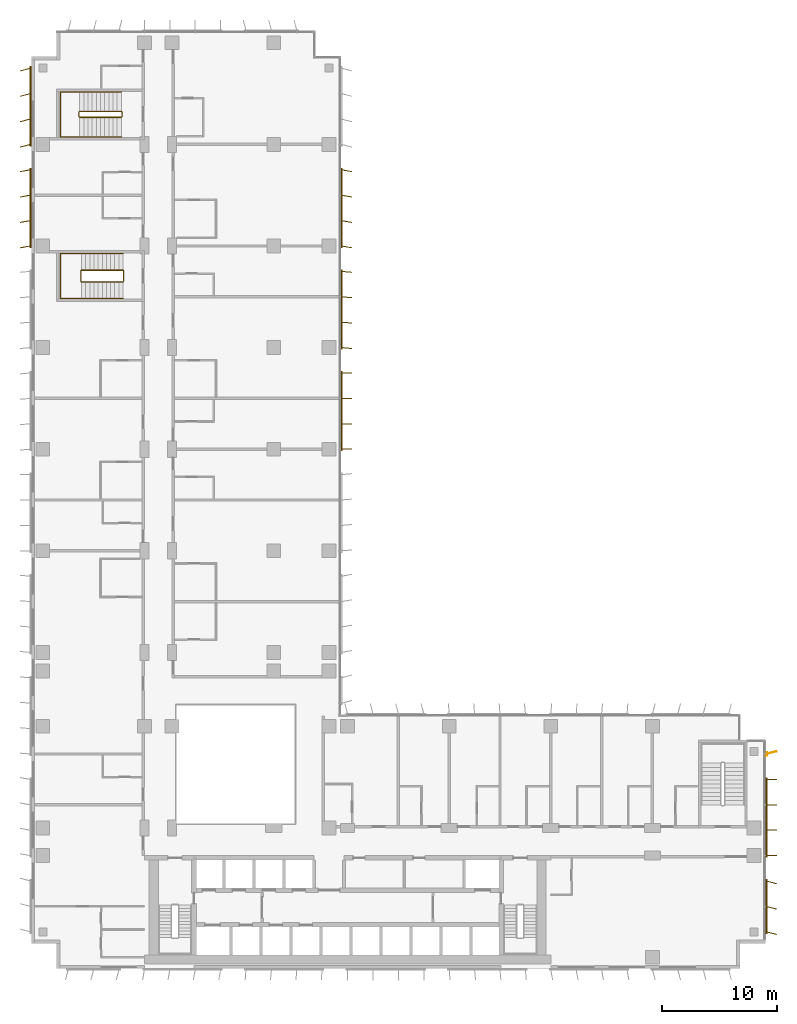
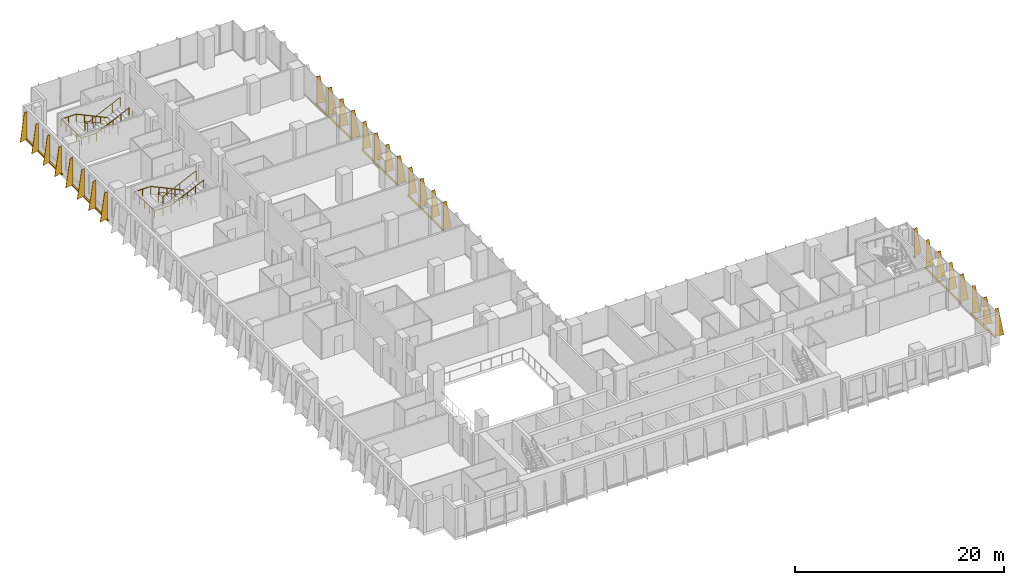
# One storey, part 21 of 22: 8 shading devices, 4 railings.
"""IFC4 building model written with IfcOpenShell, lengths in metres."""

from ifc_helpers import new_model, si_unit, direction, frame, origin, origin_2d, place, context, subcontext, project, spatial, polyline, rectangle, circle, outline, extrude, source, transform, mapped, material, layer, layer_set, type_object, element, save


model = new_model("IFC4")

# Units and contexts
model_context = context("Model", 3, precision=1e-05, world=origin(), true_north=direction((0.0, 1.0)))
body_context = subcontext(model_context, "Body", "Model", "MODEL_VIEW")
ifc_project = project(units=[si_unit("LENGTHUNIT", "METRE"), si_unit("AREAUNIT", "SQUARE_METRE"), si_unit("VOLUMEUNIT", "CUBIC_METRE"), si_unit("PLANEANGLEUNIT", "RADIAN"), si_unit("MASSUNIT", "GRAM", prefix="KILO")], contexts=[model_context])

# Site, building, storey
site_placement = place(None, origin())
site = spatial("IfcSite", under=ifc_project, at=site_placement, CompositionType="ELEMENT")
building_placement = place(site_placement, origin())
building = spatial("IfcBuilding", under=site, at=building_placement, Name="Kemantara Hotel Tower", CompositionType="ELEMENT")
storey_placement = place(building_placement, frame((0.0, 0.0, 107.39990234375)))
storey = spatial("IfcBuildingStorey", under=building, at=storey_placement, Name="L25", CompositionType="ELEMENT", Elevation=107.39990234375)

# Railings
ifc_material_1 = material(Name="Stainless steel balustrade", Category="steel")
railing_type_1 = type_object("IfcRailingType", Name="Stair guard 1100 mm", PredefinedType="GUARDRAIL", material=ifc_material_1)
railing_1_placement = place(storey_placement, frame((7.949951171875, 59.5, 3.7001953125)))
element("IfcRailing", 1, at=railing_1_placement, inside=storey, type_object=railing_type_1, Name="L25 ST4 stair guard 1", PredefinedType="GUARDRAIL", context=body_context, shape_type="SweptSolid", body=[
    extrude(circle(Radius=0.02392578125, at=origin_2d()), frame((0.0, 0.0, 1.076171875), z_axis=(-0.905994681025, 0.0, -0.423289071386), x_axis=(0.0, -1.0, 0.0)), (0.0, 0.0, 1.0), 3.973388671875),
    extrude(circle(Radius=0.02392578125, at=origin_2d()), frame((-3.599853515625, 0.0, -0.60595703125), z_axis=(-0.274243871929, 0.274243871929, -0.92172696468), x_axis=(-0.707106781187, -0.707106781187, 0.0)), (0.0, 0.0, 1.0), 0.1826171875),
    extrude(circle(Radius=0.02392578125, at=origin_2d()), frame((-3.64990234375, 0.050048828125, -0.77392578125), z_axis=(0.0, 1.0, 0.0), x_axis=(-1.0, 0.0, 0.0)), (0.0, 0.0, 1.0), 0.89990234375),
    extrude(circle(Radius=0.02392578125, at=origin_2d()), frame((-3.64990234375, 0.949951171875, -0.77392578125), z_axis=(0.707106781187, 0.707106781187, 0.0), x_axis=(-0.707106781187, 0.707106781187, 0.0)), (0.0, 0.0, 1.0), 0.07080078125),
    extrude(circle(Radius=0.02392578125, at=origin_2d()), frame((-3.599853515625, 1.0, -0.77392578125), z_axis=(0.905994681025, 0.0, -0.423289071386), x_axis=(0.0, 1.0, 0.0)), (0.0, 0.0, 1.0), 3.973388671875),
    extrude(circle(Radius=0.02392578125, at=origin_2d()), frame((0.0, 1.0, -2.4560546875), z_axis=(0.274243871929, -0.274243871929, -0.92172696468), x_axis=(0.707106781187, 0.707106781187, 0.0)), (0.0, 0.0, 1.0), 0.1826171875),
    extrude(circle(Radius=0.02392578125, at=origin_2d()), frame((0.050048828125, 0.949951171875, -2.6240234375), z_axis=(0.0, -1.0, 0.0), x_axis=(1.0, 0.0, 0.0)), (0.0, 0.0, 1.0), 0.89990234375),
    extrude(circle(Radius=0.02099609375, at=origin_2d()), origin(), (0.0, 0.0, 1.0), 1.052001953125),
    extrude(circle(Radius=0.02099609375, at=origin_2d()), frame((-0.89990234375, 0.0, -0.42041015625)), (0.0, 0.0, 1.0), 1.052001953125),
    extrude(circle(Radius=0.02099609375, at=origin_2d()), frame((-1.7998046875, 0.0, -0.8408203125)), (0.0, 0.0, 1.0), 1.052001953125),
    extrude(circle(Radius=0.02099609375, at=origin_2d()), frame((-2.699951171875, 0.0, -1.261474609375)), (0.0, 0.0, 1.0), 1.052001953125),
    extrude(circle(Radius=0.02099609375, at=origin_2d()), frame((-3.599853515625, 0.0, -1.681884765625)), (0.0, 0.0, 1.0), 1.052001953125),
    extrude(circle(Radius=0.02099609375, at=origin_2d()), frame((-3.64990234375, 0.050048828125, -1.85009765625)), (0.0, 0.0, 1.0), 1.052001953125),
    extrude(circle(Radius=0.02099609375, at=origin_2d()), frame((-3.64990234375, 0.949951171875, -1.85009765625)), (0.0, 0.0, 1.0), 1.052001953125),
    extrude(circle(Radius=0.02099609375, at=origin_2d()), frame((-3.599853515625, 1.0, -1.85009765625)), (0.0, 0.0, 1.0), 1.052001953125),
    extrude(circle(Radius=0.02099609375, at=origin_2d()), frame((-2.699951171875, 1.0, -2.2705078125)), (0.0, 0.0, 1.0), 1.052001953125),
    extrude(circle(Radius=0.02099609375, at=origin_2d()), frame((-1.7998046875, 1.0, -2.69091796875)), (0.0, 0.0, 1.0), 1.052001953125),
    extrude(circle(Radius=0.02099609375, at=origin_2d()), frame((-0.89990234375, 1.0, -3.111572265625)), (0.0, 0.0, 1.0), 1.052001953125),
    extrude(circle(Radius=0.02099609375, at=origin_2d()), frame((0.0, 1.0, -3.531982421875)), (0.0, 0.0, 1.0), 1.052001953125),
    extrude(circle(Radius=0.02099609375, at=origin_2d()), frame((0.050048828125, 0.949951171875, -3.7001953125)), (0.0, 0.0, 1.0), 1.052001953125),
    extrude(circle(Radius=0.02099609375, at=origin_2d()), frame((0.050048828125, 0.050048828125, -3.7001953125)), (0.0, 0.0, 1.0), 1.052001953125),
])
railing_2_placement = place(storey_placement, frame((7.800048828125, 73.75, 3.7001953125)))
element("IfcRailing", 2, at=railing_2_placement, inside=storey, type_object=railing_type_1, Name="L25 ST6 stair guard 1", PredefinedType="GUARDRAIL", context=body_context, shape_type="SweptSolid", body=[
    extrude(circle(Radius=0.02392578125, at=origin_2d()), frame((0.0, 0.0, 1.076171875), z_axis=(-0.906005689286, 0.0, -0.423265508849), x_axis=(0.0, -1.0, 0.0)), (0.0, 0.0, 1.0), 3.9736328125),
    extrude(circle(Radius=0.02392578125, at=origin_2d()), frame((-3.60009765625, 0.0, -0.60595703125), z_axis=(-0.274243871929, 0.274243871929, -0.92172696468), x_axis=(-0.707106781187, -0.707106781187, 0.0)), (0.0, 0.0, 1.0), 0.1826171875),
    extrude(circle(Radius=0.02392578125, at=origin_2d()), frame((-3.650146484375, 0.050048828125, -0.77392578125), z_axis=(0.0, 1.0, 0.0), x_axis=(-1.0, 0.0, 0.0)), (0.0, 0.0, 1.0), 0.39990234375),
    extrude(circle(Radius=0.02392578125, at=origin_2d()), frame((-3.650146484375, 0.449951171875, -0.77392578125), z_axis=(0.707106781187, 0.707106781187, 0.0), x_axis=(-0.707106781187, 0.707106781187, 0.0)), (0.0, 0.0, 1.0), 0.07080078125),
    extrude(circle(Radius=0.02392578125, at=origin_2d()), frame((-3.60009765625, 0.5, -0.77392578125), z_axis=(0.906005689286, 0.0, -0.423265508849), x_axis=(0.0, 1.0, 0.0)), (0.0, 0.0, 1.0), 3.9736328125),
    extrude(circle(Radius=0.02392578125, at=origin_2d()), frame((0.0, 0.5, -2.4560546875), z_axis=(0.274243871929, -0.274243871929, -0.92172696468), x_axis=(0.707106781187, 0.707106781187, 0.0)), (0.0, 0.0, 1.0), 0.1826171875),
    extrude(circle(Radius=0.02392578125, at=origin_2d()), frame((0.050048828125, 0.449951171875, -2.6240234375), z_axis=(0.0, -1.0, 0.0), x_axis=(1.0, 0.0, 0.0)), (0.0, 0.0, 1.0), 0.39990234375),
    extrude(circle(Radius=0.02099609375, at=origin_2d()), origin(), (0.0, 0.0, 1.0), 1.052001953125),
    extrude(circle(Radius=0.02099609375, at=origin_2d()), frame((-0.89990234375, 0.0, -0.42041015625)), (0.0, 0.0, 1.0), 1.052001953125),
    extrude(circle(Radius=0.02099609375, at=origin_2d()), frame((-1.800048828125, 0.0, -0.8408203125)), (0.0, 0.0, 1.0), 1.052001953125),
    extrude(circle(Radius=0.02099609375, at=origin_2d()), frame((-2.7001953125, 0.0, -1.261474609375)), (0.0, 0.0, 1.0), 1.052001953125),
    extrude(circle(Radius=0.02099609375, at=origin_2d()), frame((-3.60009765625, 0.0, -1.681884765625)), (0.0, 0.0, 1.0), 1.052001953125),
    extrude(circle(Radius=0.02099609375, at=origin_2d()), frame((-3.650146484375, 0.050048828125, -1.85009765625)), (0.0, 0.0, 1.0), 1.052001953125),
    extrude(circle(Radius=0.02099609375, at=origin_2d()), frame((-3.650146484375, 0.449951171875, -1.85009765625)), (0.0, 0.0, 1.0), 1.052001953125),
    extrude(circle(Radius=0.02099609375, at=origin_2d()), frame((-3.60009765625, 0.5, -1.85009765625)), (0.0, 0.0, 1.0), 1.052001953125),
    extrude(circle(Radius=0.02099609375, at=origin_2d()), frame((-2.7001953125, 0.5, -2.2705078125)), (0.0, 0.0, 1.0), 1.052001953125),
    extrude(circle(Radius=0.02099609375, at=origin_2d()), frame((-1.800048828125, 0.5, -2.69091796875)), (0.0, 0.0, 1.0), 1.052001953125),
    extrude(circle(Radius=0.02099609375, at=origin_2d()), frame((-0.89990234375, 0.5, -3.111572265625)), (0.0, 0.0, 1.0), 1.052001953125),
    extrude(circle(Radius=0.02099609375, at=origin_2d()), frame((0.0, 0.5, -3.531982421875)), (0.0, 0.0, 1.0), 1.052001953125),
    extrude(circle(Radius=0.02099609375, at=origin_2d()), frame((0.050048828125, 0.449951171875, -3.7001953125)), (0.0, 0.0, 1.0), 1.052001953125),
    extrude(circle(Radius=0.02099609375, at=origin_2d()), frame((0.050048828125, 0.050048828125, -3.7001953125)), (0.0, 0.0, 1.0), 1.052001953125),
])
railing_type_2 = type_object("IfcRailingType", Name="Stair handrail 900 mm", PredefinedType="HANDRAIL", material=ifc_material_1)
railing_3_placement = place(storey_placement, frame((7.949951171875, 61.949951171875, 0.168212890625)))
element("IfcRailing", 3, at=railing_3_placement, inside=storey, type_object=railing_type_2, Name="L25 ST4 stair handrail 1", PredefinedType="HANDRAIL", context=body_context, shape_type="SweptSolid", body=[
    extrude(circle(Radius=0.02392578125, at=origin_2d()), frame((0.0, 0.0, 0.8759765625), z_axis=(-0.905994681025, 0.0, 0.423289071386), x_axis=(0.0, -1.0, 0.0)), (0.0, 0.0, 1.0), 3.973388671875),
    extrude(circle(Radius=0.02392578125, at=origin_2d()), frame((-3.599853515625, 0.0, 2.5576171875), z_axis=(-1.0, 0.0, 0.0), x_axis=(0.0, -1.0, 0.0)), (0.0, 0.0, 1.0), 1.830078125),
    extrude(circle(Radius=0.02392578125, at=origin_2d()), frame((-5.429931640625, 0.0, 2.5576171875), z_axis=(0.0, -0.999071085748, 0.043092523981), x_axis=(1.0, 0.0, 0.0)), (0.0, 0.0, 1.0), 3.903564453125),
    extrude(circle(Radius=0.02392578125, at=origin_2d()), frame((-5.429931640625, -3.89990234375, 2.72607421875), z_axis=(1.0, 0.0, 0.0), x_axis=(0.0, 1.0, 0.0)), (0.0, 0.0, 1.0), 1.830078125),
    extrude(circle(Radius=0.02392578125, at=origin_2d()), frame((-3.599853515625, -3.89990234375, 2.72607421875), z_axis=(0.905994681025, 0.0, 0.423289071386), x_axis=(0.0, 1.0, 0.0)), (0.0, 0.0, 1.0), 3.973388671875),
    extrude(circle(Radius=0.02099609375, at=origin_2d()), origin(), (0.0, 0.0, 1.0), 0.851806640625),
    extrude(circle(Radius=0.02099609375, at=origin_2d()), frame((-0.89990234375, 0.0, 0.42041015625)), (0.0, 0.0, 1.0), 0.851806640625),
    extrude(circle(Radius=0.02099609375, at=origin_2d()), frame((-1.7998046875, 0.0, 0.8408203125)), (0.0, 0.0, 1.0), 0.851806640625),
    extrude(circle(Radius=0.02099609375, at=origin_2d()), frame((-2.699951171875, 0.0, 1.261474609375)), (0.0, 0.0, 1.0), 0.851806640625),
    extrude(circle(Radius=0.02099609375, at=origin_2d()), frame((-3.599853515625, 0.0, 1.681884765625)), (0.0, 0.0, 1.0), 0.851806640625),
    extrude(circle(Radius=0.02099609375, at=origin_2d()), frame((-4.514892578125, 0.0, 1.681884765625)), (0.0, 0.0, 1.0), 0.851806640625),
    extrude(circle(Radius=0.02099609375, at=origin_2d()), frame((-5.429931640625, 0.0, 1.681884765625)), (0.0, 0.0, 1.0), 0.851806640625),
    extrude(circle(Radius=0.02099609375, at=origin_2d()), frame((-5.429931640625, -0.97509765625, 1.723876953125)), (0.0, 0.0, 1.0), 0.851806640625),
    extrude(circle(Radius=0.02099609375, at=origin_2d()), frame((-5.429931640625, -1.949951171875, 1.76611328125)), (0.0, 0.0, 1.0), 0.851806640625),
    extrude(circle(Radius=0.02099609375, at=origin_2d()), frame((-5.429931640625, -2.9248046875, 1.80810546875)), (0.0, 0.0, 1.0), 0.851806640625),
    extrude(circle(Radius=0.02099609375, at=origin_2d()), frame((-5.429931640625, -3.89990234375, 1.85009765625)), (0.0, 0.0, 1.0), 0.851806640625),
    extrude(circle(Radius=0.02099609375, at=origin_2d()), frame((-4.514892578125, -3.89990234375, 1.85009765625)), (0.0, 0.0, 1.0), 0.851806640625),
    extrude(circle(Radius=0.02099609375, at=origin_2d()), frame((-3.599853515625, -3.89990234375, 1.85009765625)), (0.0, 0.0, 1.0), 0.851806640625),
    extrude(circle(Radius=0.02099609375, at=origin_2d()), frame((-2.699951171875, -3.89990234375, 2.2705078125)), (0.0, 0.0, 1.0), 0.851806640625),
    extrude(circle(Radius=0.02099609375, at=origin_2d()), frame((-1.7998046875, -3.89990234375, 2.69091796875)), (0.0, 0.0, 1.0), 0.851806640625),
    extrude(circle(Radius=0.02099609375, at=origin_2d()), frame((-0.89990234375, -3.89990234375, 3.111572265625)), (0.0, 0.0, 1.0), 0.851806640625),
    extrude(circle(Radius=0.02099609375, at=origin_2d()), frame((0.0, -3.89990234375, 3.531982421875)), (0.0, 0.0, 1.0), 0.851806640625),
])
railing_4_placement = place(storey_placement, frame((7.800048828125, 75.949951171875, 0.168212890625)))
element("IfcRailing", 4, at=railing_4_placement, inside=storey, type_object=railing_type_2, Name="L25 ST6 stair handrail 1", PredefinedType="HANDRAIL", context=body_context, shape_type="SweptSolid", body=[
    extrude(circle(Radius=0.02392578125, at=origin_2d()), frame((0.0, 0.0, 0.8759765625), z_axis=(-0.906005689286, 0.0, 0.423265508849), x_axis=(0.0, -1.0, 0.0)), (0.0, 0.0, 1.0), 3.9736328125),
    extrude(circle(Radius=0.02392578125, at=origin_2d()), frame((-3.60009765625, 0.0, 2.5576171875), z_axis=(-1.0, 0.0, 0.0), x_axis=(0.0, -1.0, 0.0)), (0.0, 0.0, 1.0), 1.679931640625),
    extrude(circle(Radius=0.02392578125, at=origin_2d()), frame((-5.280029296875, 0.0, 2.5576171875), z_axis=(0.0, -0.999071085748, 0.043092523981), x_axis=(1.0, 0.0, 0.0)), (0.0, 0.0, 1.0), 3.903564453125),
    extrude(circle(Radius=0.02392578125, at=origin_2d()), frame((-5.280029296875, -3.89990234375, 2.72607421875), z_axis=(1.0, 0.0, 0.0), x_axis=(0.0, 1.0, 0.0)), (0.0, 0.0, 1.0), 1.679931640625),
    extrude(circle(Radius=0.02392578125, at=origin_2d()), frame((-3.60009765625, -3.89990234375, 2.72607421875), z_axis=(0.906005689286, 0.0, 0.423265508849), x_axis=(0.0, 1.0, 0.0)), (0.0, 0.0, 1.0), 3.9736328125),
    extrude(circle(Radius=0.02099609375, at=origin_2d()), origin(), (0.0, 0.0, 1.0), 0.851806640625),
    extrude(circle(Radius=0.02099609375, at=origin_2d()), frame((-0.89990234375, 0.0, 0.42041015625)), (0.0, 0.0, 1.0), 0.851806640625),
    extrude(circle(Radius=0.02099609375, at=origin_2d()), frame((-1.800048828125, 0.0, 0.8408203125)), (0.0, 0.0, 1.0), 0.851806640625),
    extrude(circle(Radius=0.02099609375, at=origin_2d()), frame((-2.7001953125, 0.0, 1.261474609375)), (0.0, 0.0, 1.0), 0.851806640625),
    extrude(circle(Radius=0.02099609375, at=origin_2d()), frame((-3.60009765625, 0.0, 1.681884765625)), (0.0, 0.0, 1.0), 0.851806640625),
    extrude(circle(Radius=0.02099609375, at=origin_2d()), frame((-4.43994140625, 0.0, 1.681884765625)), (0.0, 0.0, 1.0), 0.851806640625),
    extrude(circle(Radius=0.02099609375, at=origin_2d()), frame((-5.280029296875, 0.0, 1.681884765625)), (0.0, 0.0, 1.0), 0.851806640625),
    extrude(circle(Radius=0.02099609375, at=origin_2d()), frame((-5.280029296875, -0.97509765625, 1.723876953125)), (0.0, 0.0, 1.0), 0.851806640625),
    extrude(circle(Radius=0.02099609375, at=origin_2d()), frame((-5.280029296875, -1.949951171875, 1.76611328125)), (0.0, 0.0, 1.0), 0.851806640625),
    extrude(circle(Radius=0.02099609375, at=origin_2d()), frame((-5.280029296875, -2.9248046875, 1.80810546875)), (0.0, 0.0, 1.0), 0.851806640625),
    extrude(circle(Radius=0.02099609375, at=origin_2d()), frame((-5.280029296875, -3.89990234375, 1.85009765625)), (0.0, 0.0, 1.0), 0.851806640625),
    extrude(circle(Radius=0.02099609375, at=origin_2d()), frame((-4.43994140625, -3.89990234375, 1.85009765625)), (0.0, 0.0, 1.0), 0.851806640625),
    extrude(circle(Radius=0.02099609375, at=origin_2d()), frame((-3.60009765625, -3.89990234375, 1.85009765625)), (0.0, 0.0, 1.0), 0.851806640625),
    extrude(circle(Radius=0.02099609375, at=origin_2d()), frame((-2.7001953125, -3.89990234375, 2.2705078125)), (0.0, 0.0, 1.0), 0.851806640625),
    extrude(circle(Radius=0.02099609375, at=origin_2d()), frame((-1.800048828125, -3.89990234375, 2.69091796875)), (0.0, 0.0, 1.0), 0.851806640625),
    extrude(circle(Radius=0.02099609375, at=origin_2d()), frame((-0.89990234375, -3.89990234375, 3.111572265625)), (0.0, 0.0, 1.0), 0.851806640625),
    extrude(circle(Radius=0.02099609375, at=origin_2d()), frame((0.0, -3.89990234375, 3.531982421875)), (0.0, 0.0, 1.0), 0.851806640625),
])

# Shading devices
ifc_material_2 = material(Name="Perforated aluminium plate 4 mm bronze anodised", Category="aluminium")
ifc_layer_1 = layer(ifc_material_2, 0.0400390625)
ifc_layer_set_1 = layer_set([ifc_layer_1], Name="Perforated aluminium plate 4 mm bronze anodised")
shading_device_type_1 = type_object("IfcShadingDeviceType", Name="SCREEN FIN CASSETTE, 3 BLADES AT -15.0 DEG, 3200 HIGH", PredefinedType="USERDEFINED", material=ifc_layer_set_1)
shared_shape_1 = source(origin(), body_context, "Body", "SweptSolid", [
    extrude(rectangle(XDim=4.699951171875, YDim=0.14990234375, at=origin_2d()), frame((2.199951171875, -0.074951171875, -0.14990234375), z_axis=(0.0, 0.0, 1.0), x_axis=(1.0, 0.0, 0.0)), (0.0, 0.0, 1.0), 0.14990234375),
    extrude(outline(polyline([(0.0, 0.0), (0.89990234375, 0.0), (0.35009765625, 3.199951171875), (0.0, 3.199951171875), (0.0, 0.0)])), frame((0.019287109375, -0.080078125, 0.0), z_axis=(-0.966437683387, 0.256901156343, 0.0), x_axis=(-0.256901156343, -0.966437683387, 0.0)), (0.0, 0.0, 1.0), 0.039794921875),
    extrude(outline(polyline([(0.0, 0.0), (0.89990234375, 0.0), (0.35009765625, 3.199951171875), (0.0, 3.199951171875), (0.0, 0.0)])), frame((2.21923828125, -0.080078125, 0.0), z_axis=(-0.966437683387, 0.256901156343, 0.0), x_axis=(-0.256901156343, -0.966437683387, 0.0)), (0.0, 0.0, 1.0), 0.039794921875),
    extrude(outline(polyline([(0.0, 0.0), (0.89990234375, 0.0), (0.35009765625, 3.199951171875), (0.0, 3.199951171875), (0.0, 0.0)])), frame((4.41943359375, -0.080078125, 0.0), z_axis=(-0.966837822169, 0.255391122837, 0.0), x_axis=(-0.255391122837, -0.966837822169, 0.0)), (0.0, 0.0, 1.0), 0.0400390625),
])
shading_device_1_placement = place(storey_placement, frame((63.60009765625, 3.199951171875, 0.10009765625), z_axis=(0.0, 0.0, 1.0), x_axis=(0.0, 1.0, 0.0)))
element("IfcShadingDevice", 5, at=shading_device_1_placement, inside=storey, type_object=shading_device_type_1, Name="SCREEN FIN CASSETTE L25 T2-R10-1", ObjectType="SCREEN FIN", PredefinedType="USERDEFINED", context=body_context, shape_type="MappedRepresentation", body=[
    mapped(shared_shape_1, transform((0.0, 0.0, 0.0))),
])
ifc_layer_2 = layer(ifc_material_2, 0.0400390625)
ifc_layer_set_2 = layer_set([ifc_layer_2], Name="Perforated aluminium plate 4 mm bronze anodised")
shading_device_type_2 = type_object("IfcShadingDeviceType", Name="SCREEN FIN CASSETTE, 4 BLADES AT -10.0 DEG, 3200 HIGH", PredefinedType="USERDEFINED", material=ifc_layer_set_2)
shared_shape_2 = source(origin(), body_context, "Body", "SweptSolid", [
    extrude(rectangle(XDim=6.89990234375, YDim=0.14990234375, at=origin_2d()), frame((3.300048828125, -0.074951171875, -0.14990234375), z_axis=(0.0, 0.0, 1.0), x_axis=(1.0, 0.0, 0.0)), (0.0, 0.0, 1.0), 0.14990234375),
    extrude(outline(polyline([(0.0, 0.0), (0.89990234375, 0.0), (0.35009765625, 3.199951171875), (0.0, 3.199951171875), (0.0, 0.0)])), frame((0.019775390625, -0.078369140625, 0.0), z_axis=(-0.985389793052, 0.170314285219, 0.0), x_axis=(-0.170314285219, -0.985389793052, 0.0)), (0.0, 0.0, 1.0), 0.0400390625),
    extrude(outline(polyline([(0.0, 0.0), (0.89990234375, 0.0), (0.35009765625, 3.199951171875), (0.0, 3.199951171875), (0.0, 0.0)])), frame((2.2197265625, -0.078369140625, 0.0), z_axis=(-0.98521175482, 0.171341174751, 0.0), x_axis=(-0.171341174751, -0.98521175482, 0.0)), (0.0, 0.0, 1.0), 0.039794921875),
    extrude(outline(polyline([(0.0, 0.0), (0.89990234375, 0.0), (0.35009765625, 3.199951171875), (0.0, 3.199951171875), (0.0, 0.0)])), frame((4.419677734375, -0.078369140625, 0.0), z_axis=(-0.98521175482, 0.171341174751, 0.0), x_axis=(-0.171341174751, -0.98521175482, 0.0)), (0.0, 0.0, 1.0), 0.039794921875),
    extrude(outline(polyline([(0.0, 0.0), (0.89990234375, 0.0), (0.35009765625, 3.199951171875), (0.0, 3.199951171875), (0.0, 0.0)])), frame((6.61962890625, -0.078369140625, 0.0), z_axis=(-0.98521175482, 0.171341174751, 0.0), x_axis=(-0.171341174751, -0.98521175482, 0.0)), (0.0, 0.0, 1.0), 0.039794921875),
])
shading_device_2_placement = place(storey_placement, frame((26.800048828125, 62.60009765625, 0.10009765625), z_axis=(0.0, 0.0, 1.0), x_axis=(0.0, 1.0, 0.0)))
element("IfcShadingDevice", 6, at=shading_device_2_placement, inside=storey, type_object=shading_device_type_2, Name="SCREEN FIN CASSETTE L25 T2-R14-6", ObjectType="SCREEN FIN", PredefinedType="USERDEFINED", context=body_context, shape_type="MappedRepresentation", body=[
    mapped(shared_shape_2, transform((0.0, 0.0, 0.0))),
])
ifc_layer_3 = layer(ifc_material_2, 0.0400390625)
ifc_layer_set_3 = layer_set([ifc_layer_3], Name="Perforated aluminium plate 4 mm bronze anodised")
shading_device_type_3 = type_object("IfcShadingDeviceType", Name="SCREEN FIN CASSETTE, 4 BLADES AT -5.0 DEG, 3200 HIGH", PredefinedType="USERDEFINED", material=ifc_layer_set_3)
shared_shape_3 = source(origin(), body_context, "Body", "SweptSolid", [
    extrude(rectangle(XDim=6.89990234375, YDim=0.14990234375, at=origin_2d()), frame((3.300048828125, -0.074951171875, -0.14990234375), z_axis=(0.0, 0.0, 1.0), x_axis=(1.0, 0.0, 0.0)), (0.0, 0.0, 1.0), 0.14990234375),
    extrude(outline(polyline([(0.0, 0.0), (0.89990234375, 0.0), (0.35009765625, 3.199951171875), (0.0, 3.199951171875), (0.0, 0.0)])), frame((0.02001953125, -0.07666015625, 0.0), z_axis=(-0.996376129781, 0.085056498884, 0.0), x_axis=(-0.085056498884, -0.996376129781, 0.0)), (0.0, 0.0, 1.0), 0.040283203125),
    extrude(outline(polyline([(0.0, 0.0), (0.89990234375, 0.0), (0.35009765625, 3.199951171875), (0.0, 3.199951171875), (0.0, 0.0)])), frame((2.219970703125, -0.07666015625, 0.0), z_axis=(-0.996331773833, 0.085574508182, 0.0), x_axis=(-0.085574508182, -0.996331773833, 0.0)), (0.0, 0.0, 1.0), 0.0400390625),
    extrude(outline(polyline([(0.0, 0.0), (0.89990234375, 0.0), (0.35009765625, 3.199951171875), (0.0, 3.199951171875), (0.0, 0.0)])), frame((4.419921875, -0.07666015625, 0.0), z_axis=(-0.996331773833, 0.085574508182, 0.0), x_axis=(-0.085574508182, -0.996331773833, 0.0)), (0.0, 0.0, 1.0), 0.0400390625),
    extrude(outline(polyline([(0.0, 0.0), (0.89990234375, 0.0), (0.35009765625, 3.199951171875), (0.0, 3.199951171875), (0.0, 0.0)])), frame((6.619873046875, -0.07666015625, 0.0), z_axis=(-0.996331773833, 0.085574508182, 0.0), x_axis=(-0.085574508182, -0.996331773833, 0.0)), (0.0, 0.0, 1.0), 0.0400390625),
])
shading_device_3_placement = place(storey_placement, frame((26.800048828125, 53.800048828125, 0.10009765625), z_axis=(0.0, 0.0, 1.0), x_axis=(0.0, 1.0, 0.0)))
element("IfcShadingDevice", 7, at=shading_device_3_placement, inside=storey, type_object=shading_device_type_3, Name="SCREEN FIN CASSETTE L25 T2-R14-5", ObjectType="SCREEN FIN", PredefinedType="USERDEFINED", context=body_context, shape_type="MappedRepresentation", body=[
    mapped(shared_shape_3, transform((0.0, 0.0, 0.0))),
])
ifc_layer_4 = layer(ifc_material_2, 0.0400390625)
ifc_layer_set_4 = layer_set([ifc_layer_4], Name="Perforated aluminium plate 4 mm bronze anodised")
shading_device_type_4 = type_object("IfcShadingDeviceType", Name="SCREEN FIN CASSETTE, 4 BLADES AT +0.0 DEG, 3200 HIGH", PredefinedType="USERDEFINED", material=ifc_layer_set_4)
shared_shape_4 = source(origin(), body_context, "Body", "SweptSolid", [
    extrude(rectangle(XDim=6.89990234375, YDim=0.14990234375, at=origin_2d()), frame((3.300048828125, -0.074951171875, -0.14990234375), z_axis=(0.0, 0.0, 1.0), x_axis=(1.0, 0.0, 0.0)), (0.0, 0.0, 1.0), 0.14990234375),
    extrude(outline(polyline([(0.0, 0.0), (0.89990234375, 0.0), (0.35009765625, 3.199951171875), (0.0, 3.199951171875), (0.0, 0.0)])), frame((0.02001953125, -0.074951171875, 0.0), z_axis=(-1.0, 0.0, 0.0), x_axis=(0.0, -1.0, 0.0)), (0.0, 0.0, 1.0), 0.0400390625),
    extrude(outline(polyline([(0.0, 0.0), (0.89990234375, 0.0), (0.35009765625, 3.199951171875), (0.0, 3.199951171875), (0.0, 0.0)])), frame((2.219970703125, -0.074951171875, 0.0), z_axis=(-1.0, 0.0, 0.0), x_axis=(0.0, -1.0, 0.0)), (0.0, 0.0, 1.0), 0.0400390625),
    extrude(outline(polyline([(0.0, 0.0), (0.89990234375, 0.0), (0.35009765625, 3.199951171875), (0.0, 3.199951171875), (0.0, 0.0)])), frame((4.419921875, -0.074951171875, 0.0), z_axis=(-1.0, 0.0, 0.0), x_axis=(0.0, -1.0, 0.0)), (0.0, 0.0, 1.0), 0.0400390625),
    extrude(outline(polyline([(0.0, 0.0), (0.89990234375, 0.0), (0.35009765625, 3.199951171875), (0.0, 3.199951171875), (0.0, 0.0)])), frame((6.6201171875, -0.074951171875, 0.0), z_axis=(-1.0, 0.0, 0.0), x_axis=(0.0, -1.0, 0.0)), (0.0, 0.0, 1.0), 0.0400390625),
])
for number, where, z_axis, x_axis, name in (
    (8, (63.60009765625, 9.800048828125, 0.10009765625), (0.0, 0.0, 1.0), (0.0, 1.0, 0.0), "SCREEN FIN CASSETTE L25 T2-R10-2"),
    (9, (26.800048828125, 45.0, 0.10009765625), (0.0, 0.0, 1.0), (0.0, 1.0, 0.0), "SCREEN FIN CASSETTE L25 T2-R14-4"),
):
    element("IfcShadingDevice", number, at=place(storey_placement, frame(where, z_axis=z_axis, x_axis=x_axis)), inside=storey, type_object=shading_device_type_4, Name=name, ObjectType="SCREEN FIN", PredefinedType="USERDEFINED", context=body_context, shape_type="MappedRepresentation", body=[
        mapped(shared_shape_4, transform((0.0, 0.0, 0.0))),
    ])
ifc_layer_5 = layer(ifc_material_2, 0.0400390625)
ifc_layer_set_5 = layer_set([ifc_layer_5], Name="Perforated aluminium plate 4 mm bronze anodised")
shading_device_type_5 = type_object("IfcShadingDeviceType", Name="SCREEN FIN CASSETTE, 4 BLADES AT +10.0 DEG, 3200 HIGH", PredefinedType="USERDEFINED", material=ifc_layer_set_5)
shared_shape_5 = source(origin(), body_context, "Body", "SweptSolid", [
    extrude(rectangle(XDim=6.89990234375, YDim=0.14990234375, at=origin_2d()), frame((3.300048828125, -0.074951171875, -0.14990234375), z_axis=(0.0, 0.0, 1.0), x_axis=(1.0, 0.0, 0.0)), (0.0, 0.0, 1.0), 0.14990234375),
    extrude(outline(polyline([(0.0, 0.0), (0.89990234375, 0.0), (0.35009765625, 3.199951171875), (0.0, 3.199951171875), (0.0, 0.0)])), frame((0.019775390625, -0.071533203125, 0.0), z_axis=(-0.985389793052, -0.170314285219, 0.0), x_axis=(0.170314285219, -0.985389793052, 0.0)), (0.0, 0.0, 1.0), 0.0400390625),
    extrude(outline(polyline([(0.0, 0.0), (0.89990234375, 0.0), (0.35009765625, 3.199951171875), (0.0, 3.199951171875), (0.0, 0.0)])), frame((2.2197265625, -0.071533203125, 0.0), z_axis=(-0.98521175482, -0.171341174751, 0.0), x_axis=(0.171341174751, -0.98521175482, 0.0)), (0.0, 0.0, 1.0), 0.039794921875),
    extrude(outline(polyline([(0.0, 0.0), (0.89990234375, 0.0), (0.35009765625, 3.199951171875), (0.0, 3.199951171875), (0.0, 0.0)])), frame((4.419677734375, -0.071533203125, 0.0), z_axis=(-0.98521175482, -0.171341174751, 0.0), x_axis=(0.171341174751, -0.98521175482, 0.0)), (0.0, 0.0, 1.0), 0.039794921875),
    extrude(outline(polyline([(0.0, 0.0), (0.89990234375, 0.0), (0.35009765625, 3.199951171875), (0.0, 3.199951171875), (0.0, 0.0)])), frame((6.61962890625, -0.071533203125, 0.0), z_axis=(-0.98521175482, -0.171341174751, 0.0), x_axis=(0.171341174751, -0.98521175482, 0.0)), (0.0, 0.0, 1.0), 0.039794921875),
])
shading_device_4_placement = place(storey_placement, frame((0.0, 69.199951171875, 0.10009765625), z_axis=(0.0, 0.0, 1.0), x_axis=(0.0, -1.0, 0.0)))
element("IfcShadingDevice", 10, at=shading_device_4_placement, inside=storey, type_object=shading_device_type_5, Name="SCREEN FIN CASSETTE L25 T2-R04-2", ObjectType="SCREEN FIN", PredefinedType="USERDEFINED", context=body_context, shape_type="MappedRepresentation", body=[
    mapped(shared_shape_5, transform((0.0, 0.0, 0.0))),
])
ifc_layer_6 = layer(ifc_material_2, 0.0400390625)
ifc_layer_set_6 = layer_set([ifc_layer_6], Name="Perforated aluminium plate 4 mm bronze anodised")
shading_device_type_6 = type_object("IfcShadingDeviceType", Name="SCREEN FIN CASSETTE, 4 BLADES AT +15.0 DEG, 3200 HIGH", PredefinedType="USERDEFINED", material=ifc_layer_set_6)
shared_shape_6 = source(origin(), body_context, "Body", "SweptSolid", [
    extrude(rectangle(XDim=6.89990234375, YDim=0.14990234375, at=origin_2d()), frame((3.300048828125, -0.074951171875, -0.14990234375), z_axis=(0.0, 0.0, 1.0), x_axis=(1.0, 0.0, 0.0)), (0.0, 0.0, 1.0), 0.14990234375),
    extrude(outline(polyline([(0.0, 0.0), (0.89990234375, 0.0), (0.35009765625, 3.199951171875), (0.0, 3.199951171875), (0.0, 0.0)])), frame((0.019287109375, -0.06982421875, 0.0), z_axis=(-0.966437683387, -0.256901156343, 0.0), x_axis=(0.256901156343, -0.966437683387, 0.0)), (0.0, 0.0, 1.0), 0.039794921875),
    extrude(outline(polyline([(0.0, 0.0), (0.89990234375, 0.0), (0.35009765625, 3.199951171875), (0.0, 3.199951171875), (0.0, 0.0)])), frame((2.21923828125, -0.06982421875, 0.0), z_axis=(-0.966437683387, -0.256901156343, 0.0), x_axis=(0.256901156343, -0.966437683387, 0.0)), (0.0, 0.0, 1.0), 0.039794921875),
    extrude(outline(polyline([(0.0, 0.0), (0.89990234375, 0.0), (0.35009765625, 3.199951171875), (0.0, 3.199951171875), (0.0, 0.0)])), frame((4.41943359375, -0.06982421875, 0.0), z_axis=(-0.966837822169, -0.255391122837, 0.0), x_axis=(0.255391122837, -0.966837822169, 0.0)), (0.0, 0.0, 1.0), 0.0400390625),
    extrude(outline(polyline([(0.0, 0.0), (0.89990234375, 0.0), (0.35009765625, 3.199951171875), (0.0, 3.199951171875), (0.0, 0.0)])), frame((6.619384765625, -0.06982421875, 0.0), z_axis=(-0.966837822169, -0.255391122837, 0.0), x_axis=(0.255391122837, -0.966837822169, 0.0)), (0.0, 0.0, 1.0), 0.0400390625),
])
shading_device_5_placement = place(storey_placement, frame((0.0, 78.0, 0.10009765625), z_axis=(0.0, 0.0, 1.0), x_axis=(0.0, -1.0, 0.0)))
element("IfcShadingDevice", 11, at=shading_device_5_placement, inside=storey, type_object=shading_device_type_6, Name="SCREEN FIN CASSETTE L25 T2-R04-1", ObjectType="SCREEN FIN", PredefinedType="USERDEFINED", context=body_context, shape_type="MappedRepresentation", body=[
    mapped(shared_shape_6, transform((0.0, 0.0, 0.0))),
])
ifc_layer_7 = layer(ifc_material_2, 0.0400390625)
ifc_layer_set_7 = layer_set([ifc_layer_7], Name="Perforated aluminium plate 4 mm bronze anodised")
shading_device_type_7 = type_object("IfcShadingDeviceType", Name="SCREEN FIN CASSETTE, 1 BLADE AT +15.0 DEG, 3200 HIGH", PredefinedType="USERDEFINED", material=ifc_layer_set_7)
shared_shape_7 = source(origin(), body_context, "Body", "SweptSolid", [
    extrude(rectangle(XDim=0.300048828125, YDim=0.14990234375, at=origin_2d()), frame((0.0, -0.074951171875, -0.14990234375), z_axis=(0.0, 0.0, 1.0), x_axis=(1.0, 0.0, 0.0)), (0.0, 0.0, 1.0), 0.14990234375),
    extrude(outline(polyline([(0.0, 0.0), (0.89990234375, 0.0), (0.35009765625, 3.199951171875), (0.0, 3.199951171875), (0.0, 0.0)])), frame((0.019287109375, -0.06982421875, 0.0), z_axis=(-0.966437683387, -0.256901156343, 0.0), x_axis=(0.256901156343, -0.966437683387, 0.0)), (0.0, 0.0, 1.0), 0.039794921875),
])
shading_device_6_placement = place(storey_placement, frame((63.60009765625, 18.60009765625, 0.10009765625), z_axis=(0.0, 0.0, 1.0), x_axis=(0.0, 1.0, 0.0)))
element("IfcShadingDevice", 12, at=shading_device_6_placement, inside=storey, type_object=shading_device_type_7, Name="SCREEN FIN CASSETTE L25 T2-R10-3", ObjectType="SCREEN FIN", PredefinedType="USERDEFINED", context=body_context, shape_type="MappedRepresentation", body=[
    mapped(shared_shape_7, transform((0.0, 0.0, 0.0))),
])

save(model, "model.ifc")
